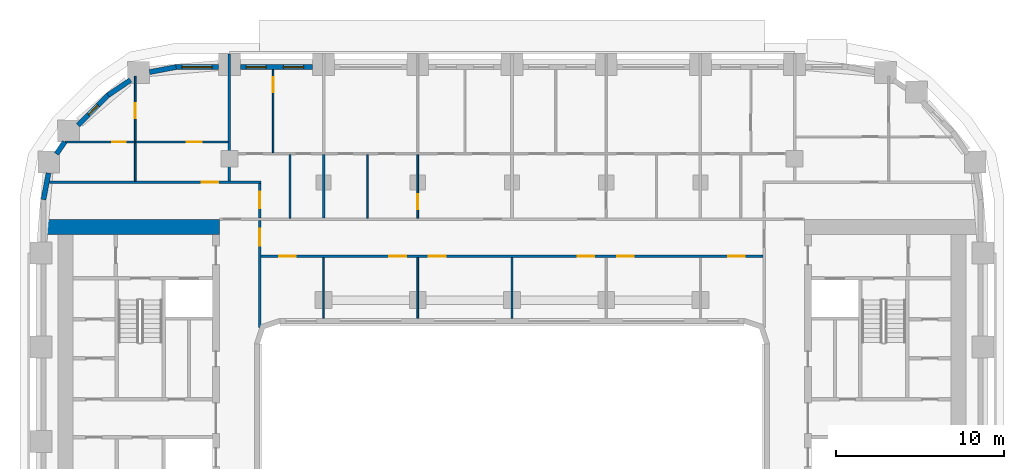
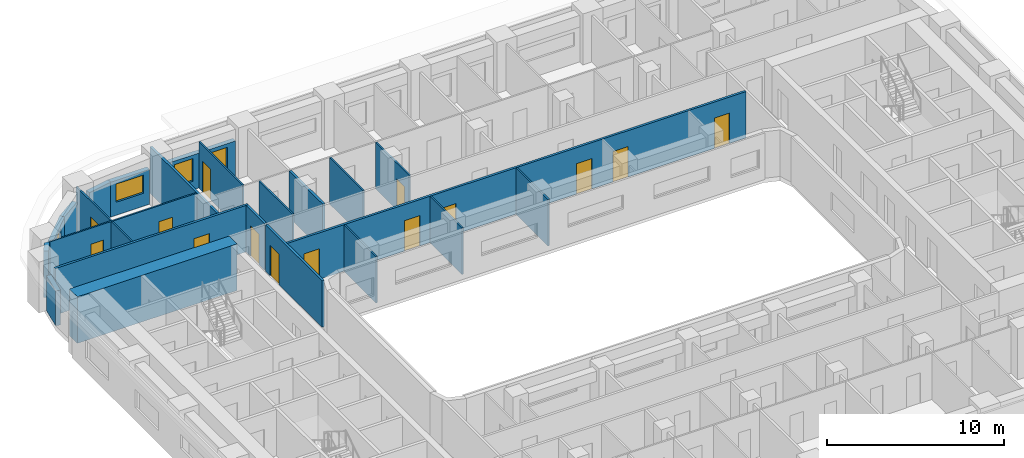
# One storey, part 8 of 22: 24 walls, 14 doors, 4 windows, 18 openings.
"""IFC4 building model written with IfcOpenShell, lengths in metres."""

from ifc_helpers import new_model, si_unit, direction, frame, frame_2d, origin, place, context, subcontext, project, spatial, rectangle, extrude, material, layer, layer_set, type_object, element, fill, save


model = new_model("IFC4")

# Units and contexts
model_context = context("Model", 3, precision=1e-05, world=origin(), true_north=direction((0.0, 1.0)))
body_context = subcontext(model_context, "Body", "Model", "MODEL_VIEW")
ifc_project = project(units=[si_unit("LENGTHUNIT", "METRE"), si_unit("AREAUNIT", "SQUARE_METRE"), si_unit("VOLUMEUNIT", "CUBIC_METRE"), si_unit("PLANEANGLEUNIT", "RADIAN"), si_unit("MASSUNIT", "GRAM", prefix="KILO")], contexts=[model_context])

# Site, building, storey
site_placement = place(None, origin())
site = spatial("IfcSite", under=ifc_project, at=site_placement, CompositionType="ELEMENT")
building_placement = place(site_placement, origin())
building = spatial("IfcBuilding", under=site, at=building_placement, Name="Kiln Ring Residences", CompositionType="ELEMENT")
storey_placement = place(building_placement, frame((0.0, 0.0, 90.300048828125)))
storey = spatial("IfcBuildingStorey", under=building, at=storey_placement, Name="L22", CompositionType="ELEMENT", Elevation=90.300048828125)

# Wall
ifc_material_1 = material(Name="Concrete C60/75", Category="concrete")
ifc_layer_1 = layer(ifc_material_1, 0.89990234375)
ifc_layer_set_1 = layer_set([ifc_layer_1], Name="CORE-WALL-RC900")
wall_type_1 = type_object("IfcWallType", Name="CORE-WALL-RC900", PredefinedType="SHEAR", material=ifc_layer_set_1)
wall_1_placement = place(storey_placement, frame((-17.39990234375, 12.75, 0.0), z_axis=(0.0, 0.0, 1.0), x_axis=(-1.0, 0.0, 0.0)))
element("IfcWall", 1, at=wall_1_placement, inside=storey, type_object=wall_type_1, Name="Core wall west L22 4", PredefinedType="SHEAR", context=body_context, shape_type="SweptSolid", body=[
    extrude(rectangle(XDim=10.400146484375, YDim=0.89990234375, at=frame_2d((5.2001953125, 0.0))), origin(), (0.0, 0.0, 1.0), 3.199951171875),
])

# Wall, openings, windows
ifc_material_2 = material(Name="Brick masonry, dark clay brick", Category="masonry")
ifc_layer_2 = layer(ifc_material_2, 0.300048828125)
ifc_layer_set_2 = layer_set([ifc_layer_2], Name="EW-300 BRICK WALL")
wall_type_2 = type_object("IfcWallType", Name="EW-300 BRICK WALL", PredefinedType="SOLIDWALL", material=ifc_layer_set_2)
wall_2_placement = place(storey_placement, frame((-11.85009765625, 22.25, 0.0), z_axis=(0.0, 0.0, 1.0), x_axis=(-1.0, 0.0, 0.0)))
wall_2 = element("IfcWall", 2, at=wall_2_placement, inside=storey, type_object=wall_type_2, Name="Facade wall L22 34", PredefinedType="SOLIDWALL", context=body_context, shape_type="SweptSolid", body=[
    extrude(rectangle(XDim=4.2998046875, YDim=0.300048828125, at=frame_2d((2.14990234375, 0.0))), origin(), (0.0, 0.0, 1.0), 2.39990234375),
])
opening_1_placement = place(wall_2_placement, frame((0.53759765625, 0.0, 0.60009765625)))
opening_1 = element("IfcOpeningElement", 3, at=opening_1_placement, cuts=wall_2, Name="Opening W1", PredefinedType="OPENING", context=body_context, shape_type="SweptSolid", body=[
    extrude(rectangle(XDim=1.199951171875, YDim=1.550048828125, at=frame_2d((0.60009765625, 0.77490234375))), frame((0.0, 0.159912109375, 0.0), z_axis=(0.0, -1.0, 0.0), x_axis=(1.0, 0.0, 0.0)), (0.0, 0.0, 1.0), 0.320068359375),
])
opening_2_placement = place(wall_2_placement, frame((2.762451171875, 0.0, 0.60009765625)))
opening_2 = element("IfcOpeningElement", 4, at=opening_2_placement, cuts=wall_2, Name="Opening W1", PredefinedType="OPENING", context=body_context, shape_type="SweptSolid", body=[
    extrude(rectangle(XDim=1.199951171875, YDim=1.550048828125, at=frame_2d((0.60009765625, 0.77490234375))), frame((0.0, 0.159912109375, 0.0), z_axis=(0.0, -1.0, 0.0), x_axis=(1.0, 0.0, 0.0)), (0.0, 0.0, 1.0), 0.320068359375),
])
ifc_material_3 = material(Name="Aluminium frame with double glazing", Category="aluminium")
window_type_1 = type_object("IfcWindowType", Name="WINDOW 1200 x 1550", PartitioningType="SINGLE_PANEL", PredefinedType="WINDOW", material=ifc_material_3)
window_1_placement = place(opening_1_placement, origin())
window_1 = element("IfcWindow", 5, at=window_1_placement, inside=storey, type_object=window_type_1, Name="Window L22 25", OverallHeight=1.550048828125, OverallWidth=1.199951171875, PartitioningType="SINGLE_PANEL", PredefinedType="WINDOW", context=body_context, shape_type="SweptSolid", body=[
    extrude(rectangle(XDim=1.199951171875, YDim=1.550048828125, at=frame_2d((0.60009765625, 0.77490234375))), frame((0.0, 0.030029296875, 0.0), z_axis=(0.0, -1.0, 0.0), x_axis=(1.0, 0.0, 0.0)), (0.0, 0.0, 1.0), 0.06005859375),
])
fill(opening_1, window_1)
window_2_placement = place(opening_2_placement, origin())
window_2 = element("IfcWindow", 6, at=window_2_placement, inside=storey, type_object=window_type_1, Name="Window L22 26", OverallHeight=1.550048828125, OverallWidth=1.199951171875, PartitioningType="SINGLE_PANEL", PredefinedType="WINDOW", context=body_context, shape_type="SweptSolid", body=[
    extrude(rectangle(XDim=1.199951171875, YDim=1.550048828125, at=frame_2d((0.60009765625, 0.77490234375))), frame((0.0, 0.030029296875, 0.0), z_axis=(0.0, -1.0, 0.0), x_axis=(1.0, 0.0, 0.0)), (0.0, 0.0, 1.0), 0.06005859375),
])
fill(opening_2, window_2)

# Wall, opening, window
wall_3_placement = place(storey_placement, frame((-17.449951171875, 22.25, 0.0), z_axis=(0.0, 0.0, 1.0), x_axis=(-1.0, 0.0, 0.0)))
wall_3 = element("IfcWall", 7, at=wall_3_placement, inside=storey, type_object=wall_type_2, Name="Facade wall L22 35", PredefinedType="SOLIDWALL", context=body_context, shape_type="SweptSolid", body=[
    extrude(rectangle(XDim=2.550048828125, YDim=0.300048828125, at=frame_2d((1.27490234375, 0.0))), origin(), (0.0, 0.0, 1.0), 2.39990234375),
])
opening_3_placement = place(wall_3_placement, frame((0.375, 0.0, 0.89990234375)))
opening_3 = element("IfcOpeningElement", 8, at=opening_3_placement, cuts=wall_3, Name="Opening W2", PredefinedType="OPENING", context=body_context, shape_type="SweptSolid", body=[
    extrude(rectangle(XDim=1.800048828125, YDim=1.25, at=frame_2d((0.89990234375, 0.625))), frame((0.0, 0.159912109375, 0.0), z_axis=(0.0, -1.0, 0.0), x_axis=(1.0, 0.0, 0.0)), (0.0, 0.0, 1.0), 0.320068359375),
])
ifc_material_4 = material(Name="Aluminium frame with double glazing", Category="aluminium")
window_type_2 = type_object("IfcWindowType", Name="WINDOW 1800 x 1250", PartitioningType="SINGLE_PANEL", PredefinedType="WINDOW", material=ifc_material_4)
window_3_placement = place(opening_3_placement, origin())
window_3 = element("IfcWindow", 9, at=window_3_placement, inside=storey, type_object=window_type_2, Name="Window L22 27", OverallHeight=1.25, OverallWidth=1.800048828125, PartitioningType="SINGLE_PANEL", PredefinedType="WINDOW", context=body_context, shape_type="SweptSolid", body=[
    extrude(rectangle(XDim=1.800048828125, YDim=1.25, at=frame_2d((0.89990234375, 0.625))), frame((0.0, 0.030029296875, 0.0), z_axis=(0.0, -1.0, 0.0), x_axis=(1.0, 0.0, 0.0)), (0.0, 0.0, 1.0), 0.06005859375),
])
fill(opening_3, window_3)

# Walls
for number, where, z_axis, x_axis, name in (
    (10, (-19.971923828125, 22.252685546875, 0.0), (0.0, 0.0, 1.0), (-0.982278644094, -0.187426426519, 0.0), "Facade wall L22 36"),
    (11, (-22.684326171875, 21.481689453125, 0.0), (0.0, 0.0, 1.0), (-0.82705935865, -0.562114594429, 0.0), "Facade wall L22 37"),
):
    element("IfcWall", number, at=place(storey_placement, frame(where, z_axis=z_axis, x_axis=x_axis)), inside=storey, type_object=wall_type_2, Name=name, PredefinedType="SOLIDWALL", context=body_context, shape_type="SweptSolid", body=[
        extrude(rectangle(XDim=1.606201171875, YDim=0.300048828125, at=frame_2d((0.80322265625, 0.0))), origin(), (0.0, 0.0, 1.0), 2.39990234375),
    ])

# Wall, opening, window
wall_4_placement = place(storey_placement, frame((-23.990966796875, 20.596923828125, 0.0), z_axis=(0.0, 0.0, 1.0), x_axis=(-0.707106781187, -0.707106781187, 0.0)))
wall_4 = element("IfcWall", 12, at=wall_4_placement, inside=storey, type_object=wall_type_2, Name="Facade wall L22 38", PredefinedType="SOLIDWALL", context=body_context, shape_type="SweptSolid", body=[
    extrude(rectangle(XDim=2.550048828125, YDim=0.300048828125, at=frame_2d((1.27490234375, 0.0))), origin(), (0.0, 0.0, 1.0), 2.39990234375),
])
opening_4_placement = place(wall_4_placement, frame((0.875, 0.0, 0.60009765625)))
opening_4 = element("IfcOpeningElement", 13, at=opening_4_placement, cuts=wall_4, Name="Opening W5", PredefinedType="OPENING", context=body_context, shape_type="SweptSolid", body=[
    extrude(rectangle(XDim=0.800048828125, YDim=1.550048828125, at=frame_2d((0.39990234375, 0.77490234375))), frame((0.0, 0.159912109375, 0.0), z_axis=(0.0, -1.0, 0.0), x_axis=(1.0, 0.0, 0.0)), (0.0, 0.0, 1.0), 0.320068359375),
])
ifc_material_5 = material(Name="Aluminium frame with double glazing", Category="aluminium")
window_type_3 = type_object("IfcWindowType", Name="WINDOW 800 x 1550", PartitioningType="SINGLE_PANEL", PredefinedType="WINDOW", material=ifc_material_5)
window_4_placement = place(opening_4_placement, origin())
window_4 = element("IfcWindow", 14, at=window_4_placement, inside=storey, type_object=window_type_3, Name="Window L22 28", OverallHeight=1.550048828125, OverallWidth=0.800048828125, PartitioningType="SINGLE_PANEL", PredefinedType="WINDOW", context=body_context, shape_type="SweptSolid", body=[
    extrude(rectangle(XDim=0.800048828125, YDim=1.550048828125, at=frame_2d((0.39990234375, 0.77490234375))), frame((0.0, 0.030029296875, 0.0), z_axis=(0.0, -1.0, 0.0), x_axis=(1.0, 0.0, 0.0)), (0.0, 0.0, 1.0), 0.06005859375),
])
fill(opening_4, window_4)

# Walls
wall_5_placement = place(storey_placement, frame((-26.588623046875, 17.809814453125, 0.0), z_axis=(0.0, 0.0, 1.0), x_axis=(-0.562066330934, -0.827092159091, 0.0)))
element("IfcWall", 15, at=wall_5_placement, inside=storey, type_object=wall_type_2, Name="Facade wall L22 39", PredefinedType="SOLIDWALL", context=body_context, shape_type="SweptSolid", body=[
    extrude(rectangle(XDim=0.876953125, YDim=0.300048828125, at=frame_2d((0.4384765625, 0.0))), origin(), (0.0, 0.0, 1.0), 3.199951171875),
])
wall_6_placement = place(storey_placement, frame((-27.5517578125, 15.949462890625, 0.0), z_axis=(0.0, 0.0, 1.0), x_axis=(-0.187279751651, -0.982306619453, 0.0)))
element("IfcWall", 16, at=wall_6_placement, inside=storey, type_object=wall_type_2, Name="Facade wall L22 40", PredefinedType="SOLIDWALL", context=body_context, shape_type="SweptSolid", body=[
    extrude(rectangle(XDim=1.60595703125, YDim=0.300048828125, at=frame_2d((0.802978515625, 0.0))), origin(), (0.0, 0.0, 1.0), 2.39990234375),
])

# Wall, openings, doors
ifc_material_6 = material(Name="Gypsum board on steel studs", Category="steel")
ifc_layer_3 = layer(ifc_material_6, 0.10009765625)
ifc_layer_set_3 = layer_set([ifc_layer_3], Name="PARTITION-100")
wall_type_3 = type_object("IfcWallType", Name="PARTITION-100", PredefinedType="PARTITIONING", material=ifc_layer_set_3)
wall_7_placement = place(storey_placement, frame((-26.55419921875, 17.800048828125, 0.0), z_axis=(0.0, 0.0, 1.0), x_axis=(1.0, 0.0, 0.0)))
wall_7 = element("IfcWall", 17, at=wall_7_placement, inside=storey, type_object=wall_type_3, Name="Partition 012", PredefinedType="PARTITIONING", context=body_context, shape_type="SweptSolid", body=[
    extrude(rectangle(XDim=9.67919921875, YDim=0.10009765625, at=frame_2d((4.839599609375, 0.0))), origin(), (0.0, 0.0, 1.0), 3.199951171875),
])
opening_5_placement = place(wall_7_placement, frame((2.7861328125, 0.0, 0.0)))
opening_5 = element("IfcOpeningElement", 18, at=opening_5_placement, cuts=wall_7, Name="Opening L22-D040", PredefinedType="OPENING", context=body_context, shape_type="SweptSolid", body=[
    extrude(rectangle(XDim=0.800048828125, YDim=2.10009765625, at=frame_2d((0.39990234375, 1.050048828125))), frame((0.0, 0.06005859375, 0.0), z_axis=(0.0, -1.0, 0.0), x_axis=(1.0, 0.0, 0.0)), (0.0, 0.0, 1.0), 0.1201171875),
])
opening_6_placement = place(wall_7_placement, frame((7.2041015625, 0.0, 0.0)))
opening_6 = element("IfcOpeningElement", 19, at=opening_6_placement, cuts=wall_7, Name="Opening L22-D041", PredefinedType="OPENING", context=body_context, shape_type="SweptSolid", body=[
    extrude(rectangle(XDim=0.89990234375, YDim=2.10009765625, at=frame_2d((0.449951171875, 1.050048828125))), frame((0.0, 0.06005859375, 0.0), z_axis=(0.0, -1.0, 0.0), x_axis=(1.0, 0.0, 0.0)), (0.0, 0.0, 1.0), 0.1201171875),
])
ifc_material_7 = material(Name="Timber door leaf", Category="wood")
door_type_1 = type_object("IfcDoorType", Name="FLAT-DOOR-800-PL", OperationType="SINGLE_SWING_LEFT", PredefinedType="DOOR", material=ifc_material_7)
door_1_placement = place(opening_5_placement, origin())
door_1 = element("IfcDoor", 20, at=door_1_placement, inside=storey, type_object=door_type_1, Name="Door L22-D040", OperationType="SINGLE_SWING_RIGHT", OverallHeight=2.10009765625, OverallWidth=0.800048828125, PredefinedType="DOOR", context=body_context, shape_type="SweptSolid", body=[
    extrude(rectangle(XDim=0.800048828125, YDim=2.10009765625, at=frame_2d((0.39990234375, 1.050048828125))), frame((0.0, 0.02490234375, 0.0), z_axis=(0.0, -1.0, 0.0), x_axis=(1.0, 0.0, 0.0)), (0.0, 0.0, 1.0), 0.050048828125),
])
fill(opening_5, door_1)
ifc_material_8 = material(Name="Timber door leaf", Category="wood")
door_type_2 = type_object("IfcDoorType", Name="FLAT-DOOR-900-PL", OperationType="SINGLE_SWING_LEFT", PredefinedType="DOOR", material=ifc_material_8)
door_2_placement = place(opening_6_placement, origin())
door_2 = element("IfcDoor", 21, at=door_2_placement, inside=storey, type_object=door_type_2, Name="Door L22-D041", OperationType="SINGLE_SWING_LEFT", OverallHeight=2.10009765625, OverallWidth=0.89990234375, PredefinedType="DOOR", context=body_context, shape_type="SweptSolid", body=[
    extrude(rectangle(XDim=0.89990234375, YDim=2.10009765625, at=frame_2d((0.449951171875, 1.050048828125))), frame((0.0, 0.02490234375, 0.0), z_axis=(0.0, -1.0, 0.0), x_axis=(1.0, 0.0, 0.0)), (0.0, 0.0, 1.0), 0.050048828125),
])
fill(opening_6, door_2)

# Wall
wall_8_placement = place(storey_placement, frame((-22.39990234375, 15.47509765625, 0.0), z_axis=(0.0, 0.0, 1.0), x_axis=(0.0, 1.0, 0.0)))
element("IfcWall", 22, at=wall_8_placement, inside=storey, type_object=wall_type_3, Name="Partition 016", PredefinedType="PARTITIONING", context=body_context, shape_type="SweptSolid", body=[
    extrude(rectangle(XDim=2.27490234375, YDim=0.10009765625, at=frame_2d((1.137451171875, 0.0))), origin(), (0.0, 0.0, 1.0), 3.199951171875),
])

# Wall, opening, door
wall_9_placement = place(storey_placement, frame((-22.39990234375, 17.85009765625, 0.0), z_axis=(0.0, 0.0, 1.0), x_axis=(0.0, 1.0, 0.0)))
wall_9 = element("IfcWall", 23, at=wall_9_placement, inside=storey, type_object=wall_type_3, Name="Partition 017", PredefinedType="PARTITIONING", context=body_context, shape_type="SweptSolid", body=[
    extrude(rectangle(XDim=3.869873046875, YDim=0.10009765625, at=frame_2d((1.93505859375, 0.0))), origin(), (0.0, 0.0, 1.0), 3.199951171875),
])
opening_7_placement = place(wall_9_placement, frame((1.347900390625, 0.0, 0.0)))
opening_7 = element("IfcOpeningElement", 24, at=opening_7_placement, cuts=wall_9, Name="Opening L22-D042", PredefinedType="OPENING", context=body_context, shape_type="SweptSolid", body=[
    extrude(rectangle(XDim=0.89990234375, YDim=2.10009765625, at=frame_2d((0.449951171875, 1.050048828125))), frame((0.0, 0.06005859375, 0.0), z_axis=(0.0, -1.0, 0.0), x_axis=(1.0, 0.0, 0.0)), (0.0, 0.0, 1.0), 0.1201171875),
])
door_3_placement = place(opening_7_placement, origin())
door_3 = element("IfcDoor", 25, at=door_3_placement, inside=storey, type_object=door_type_2, Name="Door L22-D042", OperationType="SINGLE_SWING_RIGHT", OverallHeight=2.10009765625, OverallWidth=0.89990234375, PredefinedType="DOOR", context=body_context, shape_type="SweptSolid", body=[
    extrude(rectangle(XDim=0.89990234375, YDim=2.10009765625, at=frame_2d((0.449951171875, 1.050048828125))), frame((0.0, 0.02490234375, 0.0), z_axis=(0.0, -1.0, 0.0), x_axis=(1.0, 0.0, 0.0)), (0.0, 0.0, 1.0), 0.050048828125),
])
fill(opening_7, door_3)

wall_10_placement = place(storey_placement, frame((-14.199951171875, 17.14990234375, 0.0), z_axis=(0.0, 0.0, 1.0), x_axis=(0.0, 1.0, 0.0)))
wall_10 = element("IfcWall", 26, at=wall_10_placement, inside=storey, type_object=wall_type_3, Name="Partition 024", PredefinedType="PARTITIONING", context=body_context, shape_type="SweptSolid", body=[
    extrude(rectangle(XDim=4.93017578125, YDim=0.10009765625, at=frame_2d((2.465087890625, 0.0))), origin(), (0.0, 0.0, 1.0), 3.199951171875),
])
opening_8_placement = place(wall_10_placement, frame((3.60009765625, 0.0, 0.0)))
opening_8 = element("IfcOpeningElement", 27, at=opening_8_placement, cuts=wall_10, Name="Opening L22-D018", PredefinedType="OPENING", context=body_context, shape_type="SweptSolid", body=[
    extrude(rectangle(XDim=0.89990234375, YDim=2.10009765625, at=frame_2d((0.449951171875, 1.050048828125))), frame((0.0, 0.06005859375, 0.0), z_axis=(0.0, -1.0, 0.0), x_axis=(1.0, 0.0, 0.0)), (0.0, 0.0, 1.0), 0.1201171875),
])
door_4_placement = place(opening_8_placement, origin())
door_4 = element("IfcDoor", 28, at=door_4_placement, inside=storey, type_object=door_type_2, Name="Door L22-D018", OperationType="SINGLE_SWING_RIGHT", OverallHeight=2.10009765625, OverallWidth=0.89990234375, PredefinedType="DOOR", context=body_context, shape_type="SweptSolid", body=[
    extrude(rectangle(XDim=0.89990234375, YDim=2.10009765625, at=frame_2d((0.449951171875, 1.050048828125))), frame((0.0, 0.02490234375, 0.0), z_axis=(0.0, -1.0, 0.0), x_axis=(1.0, 0.0, 0.0)), (0.0, 0.0, 1.0), 0.050048828125),
])
fill(opening_8, door_4)

# Walls
wall_11_placement = place(storey_placement, frame((-13.199951171875, 13.27490234375, 0.0), z_axis=(0.0, 0.0, 1.0), x_axis=(0.0, 1.0, 0.0)))
element("IfcWall", 29, at=wall_11_placement, inside=storey, type_object=wall_type_3, Name="Partition 027", PredefinedType="PARTITIONING", context=body_context, shape_type="SweptSolid", body=[
    extrude(rectangle(XDim=3.775146484375, YDim=0.10009765625, at=frame_2d((1.8876953125, 0.0))), origin(), (0.0, 0.0, 1.0), 3.199951171875),
])
wall_12_placement = place(storey_placement, frame((-11.199951171875, 7.320068359375, 0.0), z_axis=(0.0, 0.0, 1.0), x_axis=(0.0, 1.0, 0.0)))
element("IfcWall", 30, at=wall_12_placement, inside=storey, type_object=wall_type_3, Name="Partition 030", PredefinedType="PARTITIONING", context=body_context, shape_type="SweptSolid", body=[
    extrude(rectangle(XDim=3.60498046875, YDim=0.10009765625, at=frame_2d((1.802490234375, 0.0))), origin(), (0.0, 0.0, 1.0), 3.199951171875),
])
wall_13_placement = place(storey_placement, frame((-8.60009765625, 13.27490234375, 0.0), z_axis=(0.0, 0.0, 1.0), x_axis=(0.0, 1.0, 0.0)))
element("IfcWall", 31, at=wall_13_placement, inside=storey, type_object=wall_type_3, Name="Partition 036", PredefinedType="PARTITIONING", context=body_context, shape_type="SweptSolid", body=[
    extrude(rectangle(XDim=3.775146484375, YDim=0.10009765625, at=frame_2d((1.8876953125, 0.0))), origin(), (0.0, 0.0, 1.0), 3.199951171875),
])
wall_14_placement = place(storey_placement, frame((-5.60009765625, 7.320068359375, 0.0), z_axis=(0.0, 0.0, 1.0), x_axis=(0.0, 1.0, 0.0)))
element("IfcWall", 32, at=wall_14_placement, inside=storey, type_object=wall_type_3, Name="Partition 038", PredefinedType="PARTITIONING", context=body_context, shape_type="SweptSolid", body=[
    extrude(rectangle(XDim=3.60498046875, YDim=0.10009765625, at=frame_2d((1.802490234375, 0.0))), origin(), (0.0, 0.0, 1.0), 3.199951171875),
])

# Wall, opening, door
wall_15_placement = place(storey_placement, frame((-5.60009765625, 13.27490234375, 0.0), z_axis=(0.0, 0.0, 1.0), x_axis=(0.0, 1.0, 0.0)))
wall_15 = element("IfcWall", 33, at=wall_15_placement, inside=storey, type_object=wall_type_3, Name="Partition 039", PredefinedType="PARTITIONING", context=body_context, shape_type="SweptSolid", body=[
    extrude(rectangle(XDim=3.775146484375, YDim=0.10009765625, at=frame_2d((1.8876953125, 0.0))), origin(), (0.0, 0.0, 1.0), 3.199951171875),
])
opening_9_placement = place(wall_15_placement, frame((0.52490234375, 0.0, 0.0)))
opening_9 = element("IfcOpeningElement", 34, at=opening_9_placement, cuts=wall_15, Name="Opening L22-D020", PredefinedType="OPENING", context=body_context, shape_type="SweptSolid", body=[
    extrude(rectangle(XDim=0.89990234375, YDim=2.10009765625, at=frame_2d((0.449951171875, 1.050048828125))), frame((0.0, 0.06005859375, 0.0), z_axis=(0.0, -1.0, 0.0), x_axis=(1.0, 0.0, 0.0)), (0.0, 0.0, 1.0), 0.1201171875),
])
door_5_placement = place(opening_9_placement, origin())
door_5 = element("IfcDoor", 35, at=door_5_placement, inside=storey, type_object=door_type_2, Name="Door L22-D020", OperationType="SINGLE_SWING_RIGHT", OverallHeight=2.10009765625, OverallWidth=0.89990234375, PredefinedType="DOOR", context=body_context, shape_type="SweptSolid", body=[
    extrude(rectangle(XDim=0.89990234375, YDim=2.10009765625, at=frame_2d((0.449951171875, 1.050048828125))), frame((0.0, 0.02490234375, 0.0), z_axis=(0.0, -1.0, 0.0), x_axis=(1.0, 0.0, 0.0)), (0.0, 0.0, 1.0), 0.050048828125),
])
fill(opening_9, door_5)

# Wall
wall_16_placement = place(storey_placement, frame((0.0, 7.320068359375, 0.0), z_axis=(0.0, 0.0, 1.0), x_axis=(0.0, 1.0, 0.0)))
element("IfcWall", 36, at=wall_16_placement, inside=storey, type_object=wall_type_3, Name="Partition 048", PredefinedType="PARTITIONING", context=body_context, shape_type="SweptSolid", body=[
    extrude(rectangle(XDim=3.60498046875, YDim=0.10009765625, at=frame_2d((1.802490234375, 0.0))), origin(), (0.0, 0.0, 1.0), 3.199951171875),
])

# Wall, openings, doors
ifc_material_9 = material(Name="Brick masonry partition", Category="masonry")
ifc_layer_4 = layer(ifc_material_9, 0.14990234375)
ifc_layer_set_4 = layer_set([ifc_layer_4], Name="PARTITION-150-ei60")
wall_type_4 = type_object("IfcWallType", Name="PARTITION-150-ei60", PredefinedType="PARTITIONING", material=ifc_layer_set_4)
wall_17_placement = place(storey_placement, frame((-14.925048828125, 11.0, 0.0), z_axis=(0.0, 0.0, 1.0), x_axis=(1.0, 0.0, 0.0)))
wall_17 = element("IfcWall", 37, at=wall_17_placement, inside=storey, type_object=wall_type_4, Name="Partition 007", PredefinedType="PARTITIONING", context=body_context, shape_type="SweptSolid", body=[
    extrude(rectangle(XDim=29.85009765625, YDim=0.14990234375, at=frame_2d((14.925048828125, 0.0))), origin(), (0.0, 0.0, 1.0), 3.199951171875),
])
opening_10_placement = place(wall_17_placement, frame((1.075927734375, 0.0, 0.0)))
opening_10 = element("IfcOpeningElement", 38, at=opening_10_placement, cuts=wall_17, Name="Opening L22-D009", PredefinedType="OPENING", context=body_context, shape_type="SweptSolid", body=[
    extrude(rectangle(XDim=1.0, YDim=2.10009765625, at=frame_2d((0.5, 1.050048828125))), frame((0.0, 0.0849609375, 0.0), z_axis=(0.0, -1.0, 0.0), x_axis=(1.0, 0.0, 0.0)), (0.0, 0.0, 1.0), 0.169921875),
])
opening_11_placement = place(wall_17_placement, frame((7.625, 0.0, 0.0)))
opening_11 = element("IfcOpeningElement", 39, at=opening_11_placement, cuts=wall_17, Name="Opening L22-D010", PredefinedType="OPENING", context=body_context, shape_type="SweptSolid", body=[
    extrude(rectangle(XDim=1.0, YDim=2.10009765625, at=frame_2d((0.5, 1.050048828125))), frame((0.0, 0.0849609375, 0.0), z_axis=(0.0, -1.0, 0.0), x_axis=(1.0, 0.0, 0.0)), (0.0, 0.0, 1.0), 0.169921875),
])
opening_12_placement = place(wall_17_placement, frame((9.97509765625, 0.0, 0.0)))
opening_12 = element("IfcOpeningElement", 40, at=opening_12_placement, cuts=wall_17, Name="Opening L22-D011", PredefinedType="OPENING", context=body_context, shape_type="SweptSolid", body=[
    extrude(rectangle(XDim=1.0, YDim=2.10009765625, at=frame_2d((0.5, 1.050048828125))), frame((0.0, 0.0849609375, 0.0), z_axis=(0.0, -1.0, 0.0), x_axis=(1.0, 0.0, 0.0)), (0.0, 0.0, 1.0), 0.169921875),
])
opening_13_placement = place(wall_17_placement, frame((18.824951171875, 0.0, 0.0)))
opening_13 = element("IfcOpeningElement", 41, at=opening_13_placement, cuts=wall_17, Name="Opening L22-D012", PredefinedType="OPENING", context=body_context, shape_type="SweptSolid", body=[
    extrude(rectangle(XDim=1.0, YDim=2.10009765625, at=frame_2d((0.5, 1.050048828125))), frame((0.0, 0.0849609375, 0.0), z_axis=(0.0, -1.0, 0.0), x_axis=(1.0, 0.0, 0.0)), (0.0, 0.0, 1.0), 0.169921875),
])
opening_14_placement = place(wall_17_placement, frame((21.175048828125, 0.0, 0.0)))
opening_14 = element("IfcOpeningElement", 42, at=opening_14_placement, cuts=wall_17, Name="Opening L22-D013", PredefinedType="OPENING", context=body_context, shape_type="SweptSolid", body=[
    extrude(rectangle(XDim=1.0, YDim=2.10009765625, at=frame_2d((0.5, 1.050048828125))), frame((0.0, 0.0849609375, 0.0), z_axis=(0.0, -1.0, 0.0), x_axis=(1.0, 0.0, 0.0)), (0.0, 0.0, 1.0), 0.169921875),
])
opening_15_placement = place(wall_17_placement, frame((27.77490234375, 0.0, 0.0)))
opening_15 = element("IfcOpeningElement", 43, at=opening_15_placement, cuts=wall_17, Name="Opening L22-D014", PredefinedType="OPENING", context=body_context, shape_type="SweptSolid", body=[
    extrude(rectangle(XDim=1.0, YDim=2.10009765625, at=frame_2d((0.5, 1.050048828125))), frame((0.0, 0.0849609375, 0.0), z_axis=(0.0, -1.0, 0.0), x_axis=(1.0, 0.0, 0.0)), (0.0, 0.0, 1.0), 0.169921875),
])
ifc_material_10 = material(Name="Steel faced fire door leaf", Category="steel")
door_type_3 = type_object("IfcDoorType", Name="FLAT-DOOR-1000-FR", OperationType="SINGLE_SWING_LEFT", PredefinedType="DOOR", material=ifc_material_10)
door_6_placement = place(opening_10_placement, origin())
door_6 = element("IfcDoor", 44, at=door_6_placement, inside=storey, type_object=door_type_3, Name="Door L22-D009", OperationType="SINGLE_SWING_LEFT", OverallHeight=2.10009765625, OverallWidth=1.0, PredefinedType="DOOR", context=body_context, shape_type="SweptSolid", body=[
    extrude(rectangle(XDim=1.0, YDim=2.10009765625, at=frame_2d((0.5, 1.050048828125))), frame((0.0, 0.02490234375, 0.0), z_axis=(0.0, -1.0, 0.0), x_axis=(1.0, 0.0, 0.0)), (0.0, 0.0, 1.0), 0.050048828125),
])
fill(opening_10, door_6)
door_7_placement = place(opening_11_placement, origin())
door_7 = element("IfcDoor", 45, at=door_7_placement, inside=storey, type_object=door_type_3, Name="Door L22-D010", OperationType="SINGLE_SWING_RIGHT", OverallHeight=2.10009765625, OverallWidth=1.0, PredefinedType="DOOR", context=body_context, shape_type="SweptSolid", body=[
    extrude(rectangle(XDim=1.0, YDim=2.10009765625, at=frame_2d((0.5, 1.050048828125))), frame((0.0, 0.02490234375, 0.0), z_axis=(0.0, -1.0, 0.0), x_axis=(1.0, 0.0, 0.0)), (0.0, 0.0, 1.0), 0.050048828125),
])
fill(opening_11, door_7)
door_8_placement = place(opening_12_placement, origin())
door_8 = element("IfcDoor", 46, at=door_8_placement, inside=storey, type_object=door_type_3, Name="Door L22-D011", OperationType="SINGLE_SWING_LEFT", OverallHeight=2.10009765625, OverallWidth=1.0, PredefinedType="DOOR", context=body_context, shape_type="SweptSolid", body=[
    extrude(rectangle(XDim=1.0, YDim=2.10009765625, at=frame_2d((0.5, 1.050048828125))), frame((0.0, 0.02490234375, 0.0), z_axis=(0.0, -1.0, 0.0), x_axis=(1.0, 0.0, 0.0)), (0.0, 0.0, 1.0), 0.050048828125),
])
fill(opening_12, door_8)
door_9_placement = place(opening_13_placement, origin())
door_9 = element("IfcDoor", 47, at=door_9_placement, inside=storey, type_object=door_type_3, Name="Door L22-D012", OperationType="SINGLE_SWING_RIGHT", OverallHeight=2.10009765625, OverallWidth=1.0, PredefinedType="DOOR", context=body_context, shape_type="SweptSolid", body=[
    extrude(rectangle(XDim=1.0, YDim=2.10009765625, at=frame_2d((0.5, 1.050048828125))), frame((0.0, 0.02490234375, 0.0), z_axis=(0.0, -1.0, 0.0), x_axis=(1.0, 0.0, 0.0)), (0.0, 0.0, 1.0), 0.050048828125),
])
fill(opening_13, door_9)
door_10_placement = place(opening_14_placement, origin())
door_10 = element("IfcDoor", 48, at=door_10_placement, inside=storey, type_object=door_type_3, Name="Door L22-D013", OperationType="SINGLE_SWING_LEFT", OverallHeight=2.10009765625, OverallWidth=1.0, PredefinedType="DOOR", context=body_context, shape_type="SweptSolid", body=[
    extrude(rectangle(XDim=1.0, YDim=2.10009765625, at=frame_2d((0.5, 1.050048828125))), frame((0.0, 0.02490234375, 0.0), z_axis=(0.0, -1.0, 0.0), x_axis=(1.0, 0.0, 0.0)), (0.0, 0.0, 1.0), 0.050048828125),
])
fill(opening_14, door_10)
door_11_placement = place(opening_15_placement, origin())
door_11 = element("IfcDoor", 49, at=door_11_placement, inside=storey, type_object=door_type_3, Name="Door L22-D014", OperationType="SINGLE_SWING_RIGHT", OverallHeight=2.10009765625, OverallWidth=1.0, PredefinedType="DOOR", context=body_context, shape_type="SweptSolid", body=[
    extrude(rectangle(XDim=1.0, YDim=2.10009765625, at=frame_2d((0.5, 1.050048828125))), frame((0.0, 0.02490234375, 0.0), z_axis=(0.0, -1.0, 0.0), x_axis=(1.0, 0.0, 0.0)), (0.0, 0.0, 1.0), 0.050048828125),
])
fill(opening_15, door_11)

# Wall, opening, door
wall_18_placement = place(storey_placement, frame((-27.48388671875, 15.39990234375, 0.0), z_axis=(0.0, 0.0, 1.0), x_axis=(1.0, 0.0, 0.0)))
wall_18 = element("IfcWall", 50, at=wall_18_placement, inside=storey, type_object=wall_type_4, Name="Partition 009", PredefinedType="PARTITIONING", context=body_context, shape_type="SweptSolid", body=[
    extrude(rectangle(XDim=12.558837890625, YDim=0.14990234375, at=frame_2d((6.279296875, 0.0))), origin(), (0.0, 0.0, 1.0), 3.199951171875),
])
opening_16_placement = place(wall_18_placement, frame((9.03369140625, 0.0, 0.0)))
opening_16 = element("IfcOpeningElement", 51, at=opening_16_placement, cuts=wall_18, Name="Opening L22-D039", PredefinedType="OPENING", context=body_context, shape_type="SweptSolid", body=[
    extrude(rectangle(XDim=1.0, YDim=2.10009765625, at=frame_2d((0.5, 1.050048828125))), frame((0.0, 0.0849609375, 0.0), z_axis=(0.0, -1.0, 0.0), x_axis=(1.0, 0.0, 0.0)), (0.0, 0.0, 1.0), 0.169921875),
])
door_12_placement = place(opening_16_placement, origin())
door_12 = element("IfcDoor", 52, at=door_12_placement, inside=storey, type_object=door_type_3, Name="Door L22-D039", OperationType="SINGLE_SWING_LEFT", OverallHeight=2.10009765625, OverallWidth=1.0, PredefinedType="DOOR", context=body_context, shape_type="SweptSolid", body=[
    extrude(rectangle(XDim=1.0, YDim=2.10009765625, at=frame_2d((0.5, 1.050048828125))), frame((0.0, 0.02490234375, 0.0), z_axis=(0.0, -1.0, 0.0), x_axis=(1.0, 0.0, 0.0)), (0.0, 0.0, 1.0), 0.050048828125),
])
fill(opening_16, door_12)

# Wall
wall_19_placement = place(storey_placement, frame((-16.800048828125, 15.47509765625, 0.0), z_axis=(0.0, 0.0, 1.0), x_axis=(0.0, 1.0, 0.0)))
element("IfcWall", 53, at=wall_19_placement, inside=storey, type_object=wall_type_4, Name="Partition 019", PredefinedType="PARTITIONING", context=body_context, shape_type="SweptSolid", body=[
    extrude(rectangle(XDim=7.554931640625, YDim=0.14990234375, at=frame_2d((3.77734375, 0.0))), origin(), (0.0, 0.0, 1.0), 3.199951171875),
])

# Wall, opening, door
wall_20_placement = place(storey_placement, frame((-15.0, 6.768798828125, 0.0), z_axis=(0.0, 0.0, 1.0), x_axis=(0.0, 1.0, 0.0)))
wall_20 = element("IfcWall", 54, at=wall_20_placement, inside=storey, type_object=wall_type_4, Name="Partition 022", PredefinedType="PARTITIONING", context=body_context, shape_type="SweptSolid", body=[
    extrude(rectangle(XDim=6.356201171875, YDim=0.14990234375, at=frame_2d((3.17822265625, 0.0))), origin(), (0.0, 0.0, 1.0), 3.199951171875),
])
opening_17_placement = place(wall_20_placement, frame((4.860107421875, 0.0, 0.0)))
opening_17 = element("IfcOpeningElement", 55, at=opening_17_placement, cuts=wall_20, Name="Opening L22-D001", PredefinedType="OPENING", context=body_context, shape_type="SweptSolid", body=[
    extrude(rectangle(XDim=1.0, YDim=2.10009765625, at=frame_2d((0.5, 1.050048828125))), frame((0.0, 0.0849609375, 0.0), z_axis=(0.0, -1.0, 0.0), x_axis=(1.0, 0.0, 0.0)), (0.0, 0.0, 1.0), 0.169921875),
])
door_13_placement = place(opening_17_placement, origin())
door_13 = element("IfcDoor", 56, at=door_13_placement, inside=storey, type_object=door_type_3, Name="Door L22-D001", OperationType="SINGLE_SWING_RIGHT", OverallHeight=2.10009765625, OverallWidth=1.0, PredefinedType="DOOR", context=body_context, shape_type="SweptSolid", body=[
    extrude(rectangle(XDim=1.0, YDim=2.10009765625, at=frame_2d((0.5, 1.050048828125))), frame((0.0, 0.02490234375, 0.0), z_axis=(0.0, -1.0, 0.0), x_axis=(1.0, 0.0, 0.0)), (0.0, 0.0, 1.0), 0.050048828125),
])
fill(opening_17, door_13)

wall_21_placement = place(storey_placement, frame((-15.0, 13.27490234375, 0.0), z_axis=(0.0, 0.0, 1.0), x_axis=(0.0, 1.0, 0.0)))
wall_21 = element("IfcWall", 57, at=wall_21_placement, inside=storey, type_object=wall_type_4, Name="Partition 023", PredefinedType="PARTITIONING", context=body_context, shape_type="SweptSolid", body=[
    extrude(rectangle(XDim=2.050048828125, YDim=0.14990234375, at=frame_2d((1.02490234375, 0.0))), origin(), (0.0, 0.0, 1.0), 3.199951171875),
])
opening_18_placement = place(wall_21_placement, frame((0.575927734375, 0.0, 0.0)))
opening_18 = element("IfcOpeningElement", 58, at=opening_18_placement, cuts=wall_21, Name="Opening L22-D015", PredefinedType="OPENING", context=body_context, shape_type="SweptSolid", body=[
    extrude(rectangle(XDim=1.0, YDim=2.10009765625, at=frame_2d((0.5, 1.050048828125))), frame((0.0, 0.0849609375, 0.0), z_axis=(0.0, -1.0, 0.0), x_axis=(1.0, 0.0, 0.0)), (0.0, 0.0, 1.0), 0.169921875),
])
door_14_placement = place(opening_18_placement, origin())
door_14 = element("IfcDoor", 59, at=door_14_placement, inside=storey, type_object=door_type_3, Name="Door L22-D015", OperationType="SINGLE_SWING_LEFT", OverallHeight=2.10009765625, OverallWidth=1.0, PredefinedType="DOOR", context=body_context, shape_type="SweptSolid", body=[
    extrude(rectangle(XDim=1.0, YDim=2.10009765625, at=frame_2d((0.5, 1.050048828125))), frame((0.0, 0.02490234375, 0.0), z_axis=(0.0, -1.0, 0.0), x_axis=(1.0, 0.0, 0.0)), (0.0, 0.0, 1.0), 0.050048828125),
])
fill(opening_18, door_14)

# Wall
wall_22_placement = place(storey_placement, frame((-11.199951171875, 13.27490234375, 0.0), z_axis=(0.0, 0.0, 1.0), x_axis=(0.0, 1.0, 0.0)))
element("IfcWall", 60, at=wall_22_placement, inside=storey, type_object=wall_type_4, Name="Partition 033", PredefinedType="PARTITIONING", context=body_context, shape_type="SweptSolid", body=[
    extrude(rectangle(XDim=3.775146484375, YDim=0.14990234375, at=frame_2d((1.8876953125, 0.0))), origin(), (0.0, 0.0, 1.0), 3.199951171875),
])

save(model, "model.ifc")
